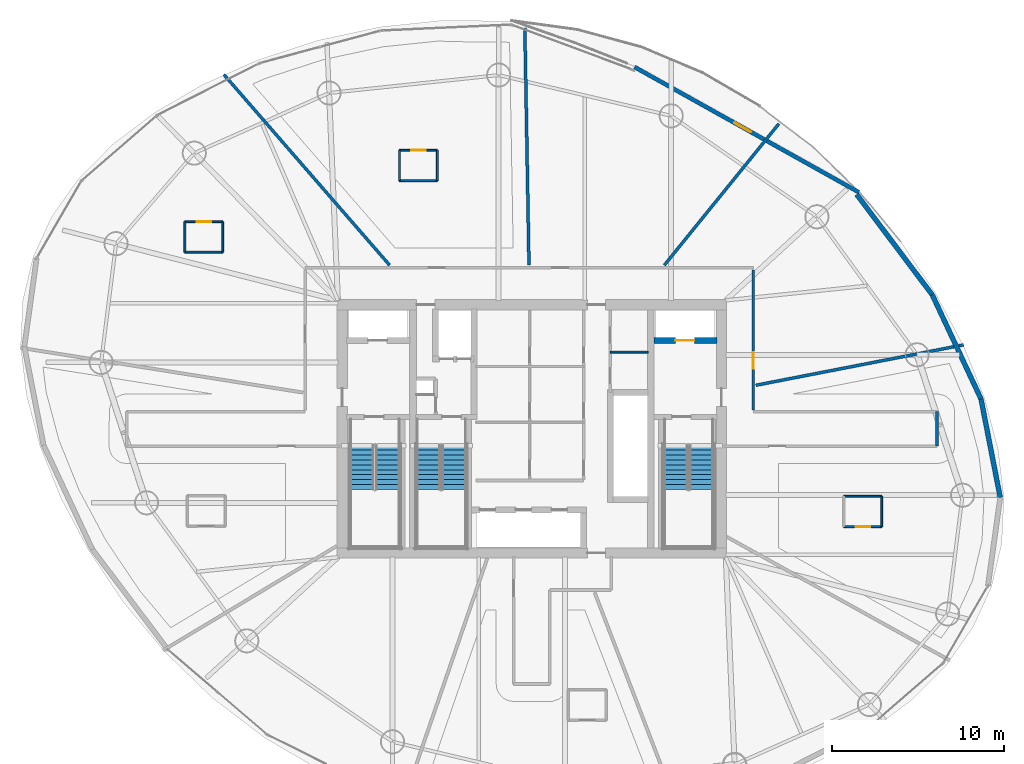
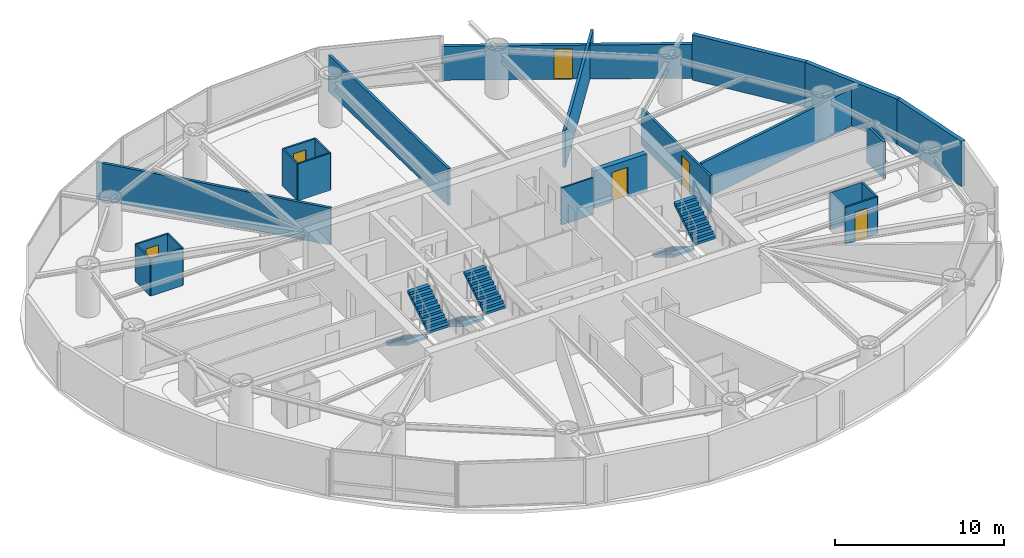
# One storey, part 16 of 19: 23 walls, 6 doors, 6 stair flights, 6 openings, 3 elements without a shape of their own.
"""IFC4 building model written with IfcOpenShell, lengths in metres."""

from ifc_helpers import new_model, si_unit, direction, frame, frame_2d, origin, place, context, subcontext, project, spatial, polyline, rectangle, outline, extrude, material, layer, layer_set, type_object, element, fill, aggregate, save


model = new_model("IFC4")

# Units and contexts
model_context = context("Model", 3, precision=1e-05, world=origin(), true_north=direction((0.0, 1.0)))
body_context = subcontext(model_context, "Body", "Model", "MODEL_VIEW")
ifc_project = project(units=[si_unit("LENGTHUNIT", "METRE"), si_unit("AREAUNIT", "SQUARE_METRE"), si_unit("VOLUMEUNIT", "CUBIC_METRE"), si_unit("PLANEANGLEUNIT", "RADIAN"), si_unit("MASSUNIT", "GRAM", prefix="KILO")], contexts=[model_context])

# Site, building, storey
site_placement = place(None, origin())
site = spatial("IfcSite", under=ifc_project, at=site_placement, CompositionType="ELEMENT")
building_placement = place(site_placement, origin())
building = spatial("IfcBuilding", under=site, at=building_placement, Name="Bramvorn Convention Spire", CompositionType="ELEMENT")
storey_placement = place(building_placement, frame((0.0, 0.0, 109.800048828125)))
storey = spatial("IfcBuildingStorey", under=building, at=storey_placement, Name="L26", CompositionType="ELEMENT", Elevation=109.800048828125)

# Wall, opening, door
ifc_material_1 = material(Name="Concrete C50/60", Category="concrete")
ifc_layer_1 = layer(ifc_material_1, 0.35009765625)
ifc_layer_set_1 = layer_set([ifc_layer_1], Name="Concrete C50/60 - WL-CORE-INT-350")
wall_type_1 = type_object("IfcWallType", Name="WL-CORE-INT-350", PredefinedType="SHEAR", material=ifc_layer_set_1)
wall_1_placement = place(storey_placement, frame((45.080078125, 31.1201171875, 0.0), z_axis=(0.0, 0.0, 1.0), x_axis=(1.0, 0.0, 0.0)))
wall_1 = element("IfcWall", 1, at=wall_1_placement, inside=storey, type_object=wall_type_1, Name="L26 FE2 shaft front wall", PredefinedType="SHEAR", context=body_context, shape_type="SweptSolid", body=[
    extrude(rectangle(XDim=3.669921875, YDim=0.35009765625, at=frame_2d((1.8349609375, 0.0))), origin(), (0.0, 0.0, 1.0), 2.675048828125),
])
opening_1_placement = place(wall_1_placement, frame((1.25, 0.0, 0.0)))
opening_1 = element("IfcOpeningElement", 2, at=opening_1_placement, cuts=wall_1, Name="Opening LD-110", PredefinedType="OPENING", context=body_context, shape_type="SweptSolid", body=[
    extrude(rectangle(XDim=1.10009765625, YDim=2.14990234375, at=frame_2d((0.550048828125, 1.074951171875))), frame((0.0, 0.18505859375, 0.0), z_axis=(0.0, -1.0, 0.0), x_axis=(1.0, 0.0, 0.0)), (0.0, 0.0, 1.0), 0.3701171875),
])
ifc_material_2 = material(Name="Firefighting & Service Lift Sliding Landing Door", Category="steel")
door_type_1 = type_object("IfcDoorType", Name="DR-LIFT-LD-1100", OperationType="NOTDEFINED", PredefinedType="DOOR", material=ifc_material_2)
door_1_placement = place(opening_1_placement, origin())
door_1 = element("IfcDoor", 3, at=door_1_placement, inside=storey, type_object=door_type_1, Name="L26 Lift FE2 Sliding Landing Door", OperationType="SLIDING_TO_LEFT", OverallHeight=2.14990234375, OverallWidth=1.10009765625, PredefinedType="DOOR", context=body_context, shape_type="SweptSolid", body=[
    extrude(rectangle(XDim=1.10009765625, YDim=2.14990234375, at=frame_2d((0.550048828125, 1.074951171875))), frame((0.0, 0.02490234375, 0.0), z_axis=(0.0, -1.0, 0.0), x_axis=(1.0, 0.0, 0.0)), (0.0, 0.0, 1.0), 0.050048828125),
])
fill(opening_1, door_1)

# Walls
ifc_material_3 = material(Name="Precast Concrete C40/50 with Bronze Terracotta Rainscreen", Category="masonry")
ifc_layer_2 = layer(ifc_material_3, 0.300048828125)
ifc_layer_set_2 = layer_set([ifc_layer_2], Name="Precast Concrete C40/50 with Bronze Terracotta Rainscreen - WL-EXT-BRONZE-300")
wall_type_2 = type_object("IfcWallType", Name="WL-EXT-BRONZE-300", PredefinedType="SOLIDWALL", material=ifc_layer_set_2)
wall_2_placement = place(storey_placement, frame((64.053466796875, 27.73046875, 0.0), z_axis=(0.0, 0.0, 1.0), x_axis=(0.191534003283, -0.981485978293, 0.0)))
element("IfcWall", 4, at=wall_2_placement, inside=storey, type_object=wall_type_2, Name="L26 expressed bronze Gothic lancet pier wall 02", PredefinedType="SOLIDWALL", context=body_context, shape_type="SweptSolid", body=[
    extrude(rectangle(XDim=5.82275390625, YDim=0.280029296875, at=frame_2d((2.911376953125, 0.0))), origin(), (0.0, 0.0, 1.0), 3.260009765625),
])
wall_3_placement = place(storey_placement, frame((61.2275390625, 33.766845703125, 0.0), z_axis=(0.0, 0.0, 1.0), x_axis=(0.423988051786, -0.905667782326, 0.0)))
element("IfcWall", 5, at=wall_3_placement, inside=storey, type_object=wall_type_2, Name="L26 expressed bronze Gothic lancet pier wall 03", PredefinedType="SOLIDWALL", context=body_context, shape_type="SweptSolid", body=[
    extrude(rectangle(XDim=6.6650390625, YDim=0.280029296875, at=frame_2d((3.33251953125, 0.0))), origin(), (0.0, 0.0, 1.0), 3.260009765625),
])
wall_4_placement = place(storey_placement, frame((56.841796875, 39.59228515625, 0.0), z_axis=(0.0, 0.0, 1.0), x_axis=(0.601461468867, -0.798901809654, 0.0)))
element("IfcWall", 6, at=wall_4_placement, inside=storey, type_object=wall_type_2, Name="L26 expressed bronze Gothic lancet pier wall 04", PredefinedType="SOLIDWALL", context=body_context, shape_type="SweptSolid", body=[
    extrude(rectangle(XDim=7.291748046875, YDim=0.280029296875, at=frame_2d((3.64599609375, 0.0))), origin(), (0.0, 0.0, 1.0), 3.260009765625),
])

# Wall, opening, door
ifc_material_4 = material(Name="Precast Concrete C40/50 Insulated Terrace Wall", Category="concrete")
ifc_layer_3 = layer(ifc_material_4, 0.280029296875)
ifc_layer_set_3 = layer_set([ifc_layer_3], Name="Precast Concrete C40/50 Insulated Terrace Wall - WL-EXT-TERR-280")
wall_type_3 = type_object("IfcWallType", Name="WL-EXT-TERR-280", PredefinedType="SOLIDWALL", material=ifc_layer_set_3)
wall_5_placement = place(storey_placement, frame((43.956787109375, 46.985595703125, 0.0), z_axis=(0.0, 0.0, 1.0), x_axis=(0.873174857764, -0.487407086293, 0.0)))
wall_5 = element("IfcWall", 7, at=wall_5_placement, inside=storey, type_object=wall_type_3, Name="L26 Sky Garden recessed terrace wall", PredefinedType="SOLIDWALL", context=body_context, shape_type="SweptSolid", body=[
    extrude(rectangle(XDim=14.914306640625, YDim=0.239990234375, at=frame_2d((7.45703125, 0.0))), origin(), (0.0, 0.0, 1.0), 2.449951171875),
])
opening_2_placement = place(wall_5_placement, frame((6.630859375, 0.0, 0.0)))
opening_2 = element("IfcOpeningElement", 8, at=opening_2_placement, cuts=wall_5, Name="Opening DE05", PredefinedType="OPENING", context=body_context, shape_type="SweptSolid", body=[
    extrude(rectangle(XDim=1.10009765625, YDim=2.199951171875, at=frame_2d((0.550048828125, 1.10009765625))), frame((0.0, 0.1298828125, 0.0), z_axis=(0.0, -1.0, 0.0), x_axis=(1.0, 0.0, 0.0)), (0.0, 0.0, 1.0), 0.260009765625),
])
ifc_material_5 = material(Name="Anodised Bronze Aluminium & Laminated Safety Glass", Category="aluminium")
door_type_2 = type_object("IfcDoorType", Name="DR-EXT-1100X2200", OperationType="NOTDEFINED", PredefinedType="DOOR", material=ifc_material_5)
door_2_placement = place(opening_2_placement, origin())
door_2 = element("IfcDoor", 9, at=door_2_placement, inside=storey, type_object=door_type_2, Name="L26 Sky Garden Lounge exterior terrace door", OperationType="SINGLE_SWING_LEFT", OverallHeight=2.199951171875, OverallWidth=1.10009765625, PredefinedType="DOOR", context=body_context, shape_type="SweptSolid", body=[
    extrude(rectangle(XDim=1.10009765625, YDim=2.199951171875, at=frame_2d((0.550048828125, 1.10009765625))), frame((0.0, 0.02490234375, 0.0), z_axis=(0.0, -1.0, 0.0), x_axis=(1.0, 0.0, 0.0)), (0.0, 0.0, 1.0), 0.050048828125),
])
fill(opening_2, door_2)

# Walls
ifc_material_6 = material(Name="Lightweight En-Suite & Wet-Wall Partition", Category="gypsum")
ifc_layer_4 = layer(ifc_material_6, 0.110107421875)
ifc_layer_set_4 = layer_set([ifc_layer_4], Name="Lightweight En-Suite & Wet-Wall Partition - WL-PART-110")
wall_type_4 = type_object("IfcWallType", Name="WL-PART-110", PredefinedType="PARTITIONING", material=ifc_layer_set_4)
for number, where, z_axis, x_axis, name in (
    (10, (42.550048828125, 30.449951171875, 0.0), (0.0, 0.0, 1.0), (1.0, 0.0, 0.0), "L26 KB NE divider"),
    (11, (30.32080078125, 40.398681640625, 0.0), (0.0, 0.0, 1.0), (1.0, 0.0, 0.0), "Hotel Suite 2603 en-suite south wall"),
):
    element("IfcWall", number, at=place(storey_placement, frame(where, z_axis=z_axis, x_axis=x_axis)), inside=storey, type_object=wall_type_4, Name=name, PredefinedType="PARTITIONING", context=body_context, shape_type="SweptSolid", body=[
        extrude(rectangle(XDim=2.199951171875, YDim=0.110107421875, at=frame_2d((1.10009765625, 0.0))), origin(), (0.0, 0.0, 1.0), 2.675048828125),
    ])

# Wall, opening, door
wall_6_placement = place(storey_placement, frame((30.32080078125, 42.15869140625, 0.0), z_axis=(0.0, 0.0, 1.0), x_axis=(1.0, 0.0, 0.0)))
wall_6 = element("IfcWall", 12, at=wall_6_placement, inside=storey, type_object=wall_type_4, Name="Hotel Suite 2603 en-suite north wall", PredefinedType="PARTITIONING", context=body_context, shape_type="SweptSolid", body=[
    extrude(rectangle(XDim=2.199951171875, YDim=0.110107421875, at=frame_2d((1.10009765625, 0.0))), origin(), (0.0, 0.0, 1.0), 2.675048828125),
])
opening_3_placement = place(wall_6_placement, frame((0.679931640625, 0.0, 0.0)))
opening_3 = element("IfcOpeningElement", 13, at=opening_3_placement, cuts=wall_6, Name="Opening DI-085", PredefinedType="OPENING", context=body_context, shape_type="SweptSolid", body=[
    extrude(rectangle(XDim=0.85009765625, YDim=2.10009765625, at=frame_2d((0.425048828125, 1.050048828125))), frame((0.0, 0.06494140625, 0.0), z_axis=(0.0, -1.0, 0.0), x_axis=(1.0, 0.0, 0.0)), (0.0, 0.0, 1.0), 0.130126953125),
])
ifc_material_7 = material(Name="En-Suite & Restroom Privacy Door", Category="wood")
door_type_3 = type_object("IfcDoorType", Name="DR-INT-850", OperationType="NOTDEFINED", PredefinedType="DOOR", material=ifc_material_7)
door_3_placement = place(opening_3_placement, origin())
door_3 = element("IfcDoor", 14, at=door_3_placement, inside=storey, type_object=door_type_3, Name="Hotel Suite 2603 En-Suite Bathroom door", OperationType="SINGLE_SWING_LEFT", OverallHeight=2.10009765625, OverallWidth=0.85009765625, PredefinedType="DOOR", context=body_context, shape_type="SweptSolid", body=[
    extrude(rectangle(XDim=0.85009765625, YDim=2.10009765625, at=frame_2d((0.425048828125, 1.050048828125))), frame((0.0, 0.02490234375, 0.0), z_axis=(0.0, -1.0, 0.0), x_axis=(1.0, 0.0, 0.0)), (0.0, 0.0, 1.0), 0.050048828125),
])
fill(opening_3, door_3)

# Walls
for number, where, z_axis, x_axis, name in (
    (15, (30.32080078125, 40.398681640625, 0.0), (0.0, 0.0, 1.0), (0.0, 1.0, 0.0), "Hotel Suite 2603 en-suite west wall"),
    (16, (32.520751953125, 40.398681640625, 0.0), (0.0, 0.0, 1.0), (0.0, 1.0, 0.0), "Hotel Suite 2603 en-suite east wall"),
):
    element("IfcWall", number, at=place(storey_placement, frame(where, z_axis=z_axis, x_axis=x_axis)), inside=storey, type_object=wall_type_4, Name=name, PredefinedType="PARTITIONING", context=body_context, shape_type="SweptSolid", body=[
        extrude(rectangle(XDim=1.760009765625, YDim=0.110107421875, at=frame_2d((0.8798828125, 0.0))), origin(), (0.0, 0.0, 1.0), 2.675048828125),
    ])
wall_7_placement = place(storey_placement, frame((17.870849609375, 36.25, 0.0), z_axis=(0.0, 0.0, 1.0), x_axis=(1.0, 0.0, 0.0)))
element("IfcWall", 17, at=wall_7_placement, inside=storey, type_object=wall_type_4, Name="Hotel Suite 2604 en-suite south wall", PredefinedType="PARTITIONING", context=body_context, shape_type="SweptSolid", body=[
    extrude(rectangle(XDim=2.199951171875, YDim=0.110107421875, at=frame_2d((1.10009765625, 0.0))), origin(), (0.0, 0.0, 1.0), 2.675048828125),
])

# Wall, opening, door
wall_8_placement = place(storey_placement, frame((17.870849609375, 38.010009765625, 0.0), z_axis=(0.0, 0.0, 1.0), x_axis=(1.0, 0.0, 0.0)))
wall_8 = element("IfcWall", 18, at=wall_8_placement, inside=storey, type_object=wall_type_4, Name="Hotel Suite 2604 en-suite north wall", PredefinedType="PARTITIONING", context=body_context, shape_type="SweptSolid", body=[
    extrude(rectangle(XDim=2.199951171875, YDim=0.110107421875, at=frame_2d((1.10009765625, 0.0))), origin(), (0.0, 0.0, 1.0), 2.675048828125),
])
opening_4_placement = place(wall_8_placement, frame((0.679931640625, 0.0, 0.0)))
opening_4 = element("IfcOpeningElement", 19, at=opening_4_placement, cuts=wall_8, Name="Opening DI-085", PredefinedType="OPENING", context=body_context, shape_type="SweptSolid", body=[
    extrude(rectangle(XDim=0.85009765625, YDim=2.10009765625, at=frame_2d((0.425048828125, 1.050048828125))), frame((0.0, 0.06494140625, 0.0), z_axis=(0.0, -1.0, 0.0), x_axis=(1.0, 0.0, 0.0)), (0.0, 0.0, 1.0), 0.130126953125),
])
door_4_placement = place(opening_4_placement, origin())
door_4 = element("IfcDoor", 20, at=door_4_placement, inside=storey, type_object=door_type_3, Name="Hotel Suite 2604 En-Suite Bathroom door", OperationType="SINGLE_SWING_LEFT", OverallHeight=2.10009765625, OverallWidth=0.85009765625, PredefinedType="DOOR", context=body_context, shape_type="SweptSolid", body=[
    extrude(rectangle(XDim=0.85009765625, YDim=2.10009765625, at=frame_2d((0.425048828125, 1.050048828125))), frame((0.0, 0.02490234375, 0.0), z_axis=(0.0, -1.0, 0.0), x_axis=(1.0, 0.0, 0.0)), (0.0, 0.0, 1.0), 0.050048828125),
])
fill(opening_4, door_4)

# Walls
for number, where, z_axis, x_axis, name in (
    (21, (17.870849609375, 36.25, 0.0), (0.0, 0.0, 1.0), (0.0, 1.0, 0.0), "Hotel Suite 2604 en-suite west wall"),
    (22, (20.07080078125, 36.25, 0.0), (0.0, 0.0, 1.0), (0.0, 1.0, 0.0), "Hotel Suite 2604 en-suite east wall"),
):
    element("IfcWall", number, at=place(storey_placement, frame(where, z_axis=z_axis, x_axis=x_axis)), inside=storey, type_object=wall_type_4, Name=name, PredefinedType="PARTITIONING", context=body_context, shape_type="SweptSolid", body=[
        extrude(rectangle(XDim=1.760009765625, YDim=0.110107421875, at=frame_2d((0.8798828125, 0.0))), origin(), (0.0, 0.0, 1.0), 2.675048828125),
    ])

# Wall, opening, door
wall_9_placement = place(storey_placement, frame((56.09521484375, 20.3291015625, 0.0), z_axis=(0.0, 0.0, 1.0), x_axis=(1.0, 0.0, 0.0)))
wall_9 = element("IfcWall", 23, at=wall_9_placement, inside=storey, type_object=wall_type_4, Name="Hotel Suite 2609 en-suite south wall", PredefinedType="PARTITIONING", context=body_context, shape_type="SweptSolid", body=[
    extrude(rectangle(XDim=2.199951171875, YDim=0.110107421875, at=frame_2d((1.10009765625, 0.0))), origin(), (0.0, 0.0, 1.0), 2.675048828125),
])
opening_5_placement = place(wall_9_placement, frame((0.679931640625, 0.0, 0.0)))
opening_5 = element("IfcOpeningElement", 24, at=opening_5_placement, cuts=wall_9, Name="Opening DI-085", PredefinedType="OPENING", context=body_context, shape_type="SweptSolid", body=[
    extrude(rectangle(XDim=0.85009765625, YDim=2.10009765625, at=frame_2d((0.425048828125, 1.050048828125))), frame((0.0, 0.06494140625, 0.0), z_axis=(0.0, -1.0, 0.0), x_axis=(1.0, 0.0, 0.0)), (0.0, 0.0, 1.0), 0.130126953125),
])
door_5_placement = place(opening_5_placement, origin())
door_5 = element("IfcDoor", 25, at=door_5_placement, inside=storey, type_object=door_type_3, Name="Hotel Suite 2609 En-Suite Bathroom door", OperationType="SINGLE_SWING_LEFT", OverallHeight=2.10009765625, OverallWidth=0.85009765625, PredefinedType="DOOR", context=body_context, shape_type="SweptSolid", body=[
    extrude(rectangle(XDim=0.85009765625, YDim=2.10009765625, at=frame_2d((0.425048828125, 1.050048828125))), frame((0.0, 0.02490234375, 0.0), z_axis=(0.0, -1.0, 0.0), x_axis=(1.0, 0.0, 0.0)), (0.0, 0.0, 1.0), 0.050048828125),
])
fill(opening_5, door_5)

# Walls
wall_10_placement = place(storey_placement, frame((56.09521484375, 22.089111328125, 0.0), z_axis=(0.0, 0.0, 1.0), x_axis=(1.0, 0.0, 0.0)))
element("IfcWall", 26, at=wall_10_placement, inside=storey, type_object=wall_type_4, Name="Hotel Suite 2609 en-suite north wall", PredefinedType="PARTITIONING", context=body_context, shape_type="SweptSolid", body=[
    extrude(rectangle(XDim=2.199951171875, YDim=0.110107421875, at=frame_2d((1.10009765625, 0.0))), origin(), (0.0, 0.0, 1.0), 2.675048828125),
])
wall_11_placement = place(storey_placement, frame((58.295166015625, 20.3291015625, 0.0), z_axis=(0.0, 0.0, 1.0), x_axis=(0.0, 1.0, 0.0)))
element("IfcWall", 27, at=wall_11_placement, inside=storey, type_object=wall_type_4, Name="Hotel Suite 2609 en-suite east wall", PredefinedType="PARTITIONING", context=body_context, shape_type="SweptSolid", body=[
    extrude(rectangle(XDim=1.760009765625, YDim=0.110107421875, at=frame_2d((0.8798828125, 0.0))), origin(), (0.0, 0.0, 1.0), 2.675048828125),
])

# Wall, opening, door
ifc_material_8 = material(Name="Acoustic Metal-Stud Tenant/Corridor Partition", Category="gypsum")
ifc_layer_5 = layer(ifc_material_8, 0.14990234375)
ifc_layer_set_5 = layer_set([ifc_layer_5], Name="Acoustic Metal-Stud Tenant/Corridor Partition - WL-PART-150")
wall_type_5 = type_object("IfcWallType", Name="WL-PART-150", PredefinedType="PARTITIONING", material=ifc_layer_set_5)
wall_12_placement = place(storey_placement, frame((50.85009765625, 27.080078125, 0.0), z_axis=(0.0, 0.0, 1.0), x_axis=(0.0, 1.0, 0.0)))
wall_12 = element("IfcWall", 28, at=wall_12_placement, inside=storey, type_object=wall_type_5, Name="L26 NE gallery cheek", PredefinedType="PARTITIONING", context=body_context, shape_type="SweptSolid", body=[
    extrude(rectangle(XDim=8.119873046875, YDim=0.14990234375, at=frame_2d((4.06005859375, 0.0))), origin(), (0.0, 0.0, 1.0), 2.675048828125),
])
opening_6_placement = place(wall_12_placement, frame((2.41357421875, 0.0, 0.0)))
opening_6 = element("IfcOpeningElement", 29, at=opening_6_placement, cuts=wall_12, Name="Opening DH-095", PredefinedType="OPENING", context=body_context, shape_type="SweptSolid", body=[
    extrude(rectangle(XDim=0.949951171875, YDim=2.14990234375, at=frame_2d((0.47509765625, 1.074951171875))), frame((0.0, 0.0849609375, 0.0), z_axis=(0.0, -1.0, 0.0), x_axis=(1.0, 0.0, 0.0)), (0.0, 0.0, 1.0), 0.169921875),
])
ifc_material_9 = material(Name="Solid-Core Acoustic Guestroom Entry Door", Category="wood")
door_type_4 = type_object("IfcDoorType", Name="DR-HOTEL-950", OperationType="NOTDEFINED", PredefinedType="DOOR", material=ifc_material_9)
door_6_placement = place(opening_6_placement, origin())
door_6 = element("IfcDoor", 30, at=door_6_placement, inside=storey, type_object=door_type_4, Name="L26 Hospitality Lounge 1 door", OperationType="SINGLE_SWING_LEFT", OverallHeight=2.14990234375, OverallWidth=0.949951171875, PredefinedType="DOOR", context=body_context, shape_type="SweptSolid", body=[
    extrude(rectangle(XDim=0.949951171875, YDim=2.14990234375, at=frame_2d((0.47509765625, 1.074951171875))), frame((0.0, 0.02490234375, 0.0), z_axis=(0.0, -1.0, 0.0), x_axis=(1.0, 0.0, 0.0)), (0.0, 0.0, 1.0), 0.050048828125),
])
fill(opening_6, door_6)

# Walls
wall_13_placement = place(storey_placement, frame((61.5, 25.0, 0.0), z_axis=(0.0, 0.0, 1.0), x_axis=(0.0, 1.0, 0.0)))
element("IfcWall", 31, at=wall_13_placement, inside=storey, type_object=wall_type_5, Name="L26 East wing spine end wall", PredefinedType="PARTITIONING", context=body_context, shape_type="SweptSolid", body=[
    extrude(rectangle(XDim=2.0, YDim=0.14990234375, at=frame_2d((1.0, 0.0))), origin(), (0.0, 0.0, 1.0), 2.675048828125),
])
ifc_material_10 = material(Name="Double-Stud Acoustic Hotel/Suite Partition", Category="gypsum")
ifc_layer_6 = layer(ifc_material_10, 0.175048828125)
ifc_layer_set_6 = layer_set([ifc_layer_6], Name="Double-Stud Acoustic Hotel/Suite Partition - WL-PART-175")
wall_type_6 = type_object("IfcWallType", Name="WL-PART-175", PredefinedType="PARTITIONING", material=ifc_layer_set_6)
wall_14_placement = place(storey_placement, frame((50.989990234375, 28.52490234375, 0.0), z_axis=(0.0, 0.0, 1.0), x_axis=(0.981627073332, 0.190809561873, 0.0)))
element("IfcWall", 32, at=wall_14_placement, inside=storey, type_object=wall_type_6, Name="L26 Guestroom demising wall 1", PredefinedType="PARTITIONING", context=body_context, shape_type="SweptSolid", body=[
    extrude(rectangle(XDim=12.287109375, YDim=0.175048828125, at=frame_2d((6.1435546875, 0.0))), origin(), (0.0, 0.0, 1.0), 2.675048828125),
])
wall_15_placement = place(storey_placement, frame((45.684814453125, 35.489990234375, 0.0), z_axis=(0.0, 0.0, 1.0), x_axis=(0.629334600488, 0.777134454665, 0.0)))
element("IfcWall", 33, at=wall_15_placement, inside=storey, type_object=wall_type_6, Name="L26 Guestroom demising wall 2", PredefinedType="PARTITIONING", context=body_context, shape_type="SweptSolid", body=[
    extrude(rectangle(XDim=10.556884765625, YDim=0.175048828125, at=frame_2d((5.2783203125, 0.0))), origin(), (0.0, 0.0, 1.0), 2.675048828125),
])
wall_16_placement = place(storey_placement, frame((37.83447265625, 35.489990234375, 0.0), z_axis=(0.0, 0.0, 1.0), x_axis=(-0.017466829804, 0.999847443292, 0.0)))
element("IfcWall", 34, at=wall_16_placement, inside=storey, type_object=wall_type_6, Name="L26 Guestroom demising wall 3", PredefinedType="PARTITIONING", context=body_context, shape_type="SweptSolid", body=[
    extrude(rectangle(XDim=13.767822265625, YDim=0.175048828125, at=frame_2d((6.8837890625, 0.0))), origin(), (0.0, 0.0, 1.0), 2.675048828125),
])
wall_17_placement = place(storey_placement, frame((29.75048828125, 35.489990234375, 0.0), z_axis=(0.0, 0.0, 1.0), x_axis=(-0.656055403937, 0.754712731419, 0.0)))
element("IfcWall", 35, at=wall_17_placement, inside=storey, type_object=wall_type_6, Name="L26 Guestroom demising wall 4", PredefinedType="PARTITIONING", context=body_context, shape_type="SweptSolid", body=[
    extrude(rectangle(XDim=14.6572265625, YDim=0.175048828125, at=frame_2d((7.32861328125, 0.0))), origin(), (0.0, 0.0, 1.0), 2.675048828125),
])

# Stair, stair flights
ifc_material_11 = material(Name="Concrete C40/50 Precast Stair", Category="concrete")
stair_type = type_object("IfcStairType", Name="ST-TOWER-1550", PredefinedType="HALF_TURN_STAIR", material=ifc_material_11)
stair_1_placement = place(storey_placement, origin())
stair_1 = element("IfcStair", 36, at=stair_1_placement, inside=storey, type_object=stair_type, Name="L26 Protected Exit Stair ST1", PredefinedType="HALF_TURN_STAIR")
ifc_material_12 = material(Name="Concrete C40/50 Precast Stair Flight", Category="concrete")
stair_flight_type = type_object("IfcStairFlightType", Name="STF-TOWER-1550", PredefinedType="STRAIGHT", material=ifc_material_12)
stair_flight_1_placement = place(storey_placement, frame((28.155029296875, 25.050048828125, 0.0), z_axis=(0.0, 0.0, 1.0), x_axis=(0.0, -1.0, 0.0)))
stair_flight_1 = element("IfcStairFlight", 37, at=stair_flight_1_placement, type_object=stair_flight_type, Name="ST1 flight 1", NumberOfRisers=10, NumberOfTreads=9, PredefinedType="STRAIGHT", RiserHeight=0.175, TreadLength=0.285, context=body_context, shape_type="SweptSolid", body=[
    extrude(outline(polyline([(0.0, 0.0), (0.0, 0.175048828125), (0.284912109375, 0.175048828125), (0.284912109375, 0.35009765625), (0.570068359375, 0.35009765625), (0.570068359375, 0.52490234375), (0.85498046875, 0.52490234375), (0.85498046875, 0.699951171875), (1.139892578125, 0.699951171875), (1.139892578125, 0.875), (1.425048828125, 0.875), (1.425048828125, 1.050048828125), (1.7099609375, 1.050048828125), (1.7099609375, 1.22509765625), (1.9951171875, 1.22509765625), (1.9951171875, 1.39990234375), (2.280029296875, 1.39990234375), (2.280029296875, 1.574951171875), (2.56494140625, 1.574951171875), (2.56494140625, 1.75), (2.56494140625, 1.399169921875), (0.286376953125, 0.0), (0.0, 0.0)])), frame((0.0, 0.705078125, 0.0), z_axis=(0.0, -1.0, 0.0), x_axis=(1.0, 0.0, 0.0)), (0.0, 0.0, 1.0), 1.409912109375),
])
stair_flight_2_placement = place(storey_placement, frame((29.64501953125, 22.485107421875, 1.75), z_axis=(0.0, 0.0, 1.0), x_axis=(0.0, 1.0, 0.0)))
stair_flight_2 = element("IfcStairFlight", 38, at=stair_flight_2_placement, type_object=stair_flight_type, Name="ST1 flight 2", NumberOfRisers=10, NumberOfTreads=9, PredefinedType="STRAIGHT", RiserHeight=0.175, TreadLength=0.285, context=body_context, shape_type="SweptSolid", body=[
    extrude(outline(polyline([(0.0, 0.0), (0.0, 0.175048828125), (0.284912109375, 0.175048828125), (0.284912109375, 0.35009765625), (0.570068359375, 0.35009765625), (0.570068359375, 0.52490234375), (0.85498046875, 0.52490234375), (0.85498046875, 0.699951171875), (1.139892578125, 0.699951171875), (1.139892578125, 0.875), (1.425048828125, 0.875), (1.425048828125, 1.050048828125), (1.7099609375, 1.050048828125), (1.7099609375, 1.22509765625), (1.9951171875, 1.22509765625), (1.9951171875, 1.39990234375), (2.280029296875, 1.39990234375), (2.280029296875, 1.574951171875), (2.56494140625, 1.574951171875), (2.56494140625, 1.75), (2.56494140625, 1.399169921875), (0.286376953125, 0.0), (0.0, 0.0)])), frame((0.0, 0.705078125, 0.0), z_axis=(0.0, -1.0, 0.0), x_axis=(1.0, 0.0, 0.0)), (0.0, 0.0, 1.0), 1.409912109375),
])
aggregate(stair_1, [stair_flight_1, stair_flight_2])

stair_2_placement = place(storey_placement, origin())
stair_2 = element("IfcStair", 39, at=stair_2_placement, inside=storey, type_object=stair_type, Name="L26 Protected Exit Stair ST2", PredefinedType="HALF_TURN_STAIR")
stair_flight_3_placement = place(storey_placement, frame((46.35498046875, 25.050048828125, 0.0), z_axis=(0.0, 0.0, 1.0), x_axis=(0.0, -1.0, 0.0)))
stair_flight_3 = element("IfcStairFlight", 40, at=stair_flight_3_placement, type_object=stair_flight_type, Name="ST2 flight 1", NumberOfRisers=10, NumberOfTreads=9, PredefinedType="STRAIGHT", RiserHeight=0.175, TreadLength=0.285, context=body_context, shape_type="SweptSolid", body=[
    extrude(outline(polyline([(0.0, 0.0), (0.0, 0.175048828125), (0.284912109375, 0.175048828125), (0.284912109375, 0.35009765625), (0.570068359375, 0.35009765625), (0.570068359375, 0.52490234375), (0.85498046875, 0.52490234375), (0.85498046875, 0.699951171875), (1.139892578125, 0.699951171875), (1.139892578125, 0.875), (1.425048828125, 0.875), (1.425048828125, 1.050048828125), (1.7099609375, 1.050048828125), (1.7099609375, 1.22509765625), (1.9951171875, 1.22509765625), (1.9951171875, 1.39990234375), (2.280029296875, 1.39990234375), (2.280029296875, 1.574951171875), (2.56494140625, 1.574951171875), (2.56494140625, 1.75), (2.56494140625, 1.399169921875), (0.286376953125, 0.0), (0.0, 0.0)])), frame((0.0, 0.705078125, 0.0), z_axis=(0.0, -1.0, 0.0), x_axis=(1.0, 0.0, 0.0)), (0.0, 0.0, 1.0), 1.409912109375),
])
stair_flight_4_placement = place(storey_placement, frame((47.844970703125, 22.485107421875, 1.75), z_axis=(0.0, 0.0, 1.0), x_axis=(0.0, 1.0, 0.0)))
stair_flight_4 = element("IfcStairFlight", 41, at=stair_flight_4_placement, type_object=stair_flight_type, Name="ST2 flight 2", NumberOfRisers=10, NumberOfTreads=9, PredefinedType="STRAIGHT", RiserHeight=0.175, TreadLength=0.285, context=body_context, shape_type="SweptSolid", body=[
    extrude(outline(polyline([(0.0, 0.0), (0.0, 0.175048828125), (0.284912109375, 0.175048828125), (0.284912109375, 0.35009765625), (0.570068359375, 0.35009765625), (0.570068359375, 0.52490234375), (0.85498046875, 0.52490234375), (0.85498046875, 0.699951171875), (1.139892578125, 0.699951171875), (1.139892578125, 0.875), (1.425048828125, 0.875), (1.425048828125, 1.050048828125), (1.7099609375, 1.050048828125), (1.7099609375, 1.22509765625), (1.9951171875, 1.22509765625), (1.9951171875, 1.39990234375), (2.280029296875, 1.39990234375), (2.280029296875, 1.574951171875), (2.56494140625, 1.574951171875), (2.56494140625, 1.75), (2.56494140625, 1.399169921875), (0.286376953125, 0.0), (0.0, 0.0)])), frame((0.0, 0.705078125, 0.0), z_axis=(0.0, -1.0, 0.0), x_axis=(1.0, 0.0, 0.0)), (0.0, 0.0, 1.0), 1.409912109375),
])
aggregate(stair_2, [stair_flight_3, stair_flight_4])

stair_3_placement = place(storey_placement, origin())
stair_3 = element("IfcStair", 42, at=stair_3_placement, inside=storey, type_object=stair_type, Name="L26 Protected Exit Stair ST3", PredefinedType="HALF_TURN_STAIR")
stair_flight_5_placement = place(storey_placement, frame((32.0048828125, 25.050048828125, 0.0), z_axis=(0.0, 0.0, 1.0), x_axis=(0.0, -1.0, 0.0)))
stair_flight_5 = element("IfcStairFlight", 43, at=stair_flight_5_placement, type_object=stair_flight_type, Name="ST3 flight 1", NumberOfRisers=10, NumberOfTreads=9, PredefinedType="STRAIGHT", RiserHeight=0.175, TreadLength=0.285, context=body_context, shape_type="SweptSolid", body=[
    extrude(outline(polyline([(0.0, 0.0), (0.0, 0.175048828125), (0.284912109375, 0.175048828125), (0.284912109375, 0.35009765625), (0.570068359375, 0.35009765625), (0.570068359375, 0.52490234375), (0.85498046875, 0.52490234375), (0.85498046875, 0.699951171875), (1.139892578125, 0.699951171875), (1.139892578125, 0.875), (1.425048828125, 0.875), (1.425048828125, 1.050048828125), (1.7099609375, 1.050048828125), (1.7099609375, 1.22509765625), (1.9951171875, 1.22509765625), (1.9951171875, 1.39990234375), (2.280029296875, 1.39990234375), (2.280029296875, 1.574951171875), (2.56494140625, 1.574951171875), (2.56494140625, 1.75), (2.56494140625, 1.399169921875), (0.286376953125, 0.0), (0.0, 0.0)])), frame((0.0, 0.705078125, 0.0), z_axis=(0.0, -1.0, 0.0), x_axis=(1.0, 0.0, 0.0)), (0.0, 0.0, 1.0), 1.409912109375),
])
stair_flight_6_placement = place(storey_placement, frame((33.4951171875, 22.485107421875, 1.75), z_axis=(0.0, 0.0, 1.0), x_axis=(0.0, 1.0, 0.0)))
stair_flight_6 = element("IfcStairFlight", 44, at=stair_flight_6_placement, type_object=stair_flight_type, Name="ST3 flight 2", NumberOfRisers=10, NumberOfTreads=9, PredefinedType="STRAIGHT", RiserHeight=0.175, TreadLength=0.285, context=body_context, shape_type="SweptSolid", body=[
    extrude(outline(polyline([(0.0, 0.0), (0.0, 0.175048828125), (0.284912109375, 0.175048828125), (0.284912109375, 0.35009765625), (0.570068359375, 0.35009765625), (0.570068359375, 0.52490234375), (0.85498046875, 0.52490234375), (0.85498046875, 0.699951171875), (1.139892578125, 0.699951171875), (1.139892578125, 0.875), (1.425048828125, 0.875), (1.425048828125, 1.050048828125), (1.7099609375, 1.050048828125), (1.7099609375, 1.22509765625), (1.9951171875, 1.22509765625), (1.9951171875, 1.39990234375), (2.280029296875, 1.39990234375), (2.280029296875, 1.574951171875), (2.56494140625, 1.574951171875), (2.56494140625, 1.75), (2.56494140625, 1.399169921875), (0.286376953125, 0.0), (0.0, 0.0)])), frame((0.0, 0.705078125, 0.0), z_axis=(0.0, -1.0, 0.0), x_axis=(1.0, 0.0, 0.0)), (0.0, 0.0, 1.0), 1.409912109375),
])
aggregate(stair_3, [stair_flight_5, stair_flight_6])

save(model, "model.ifc")
